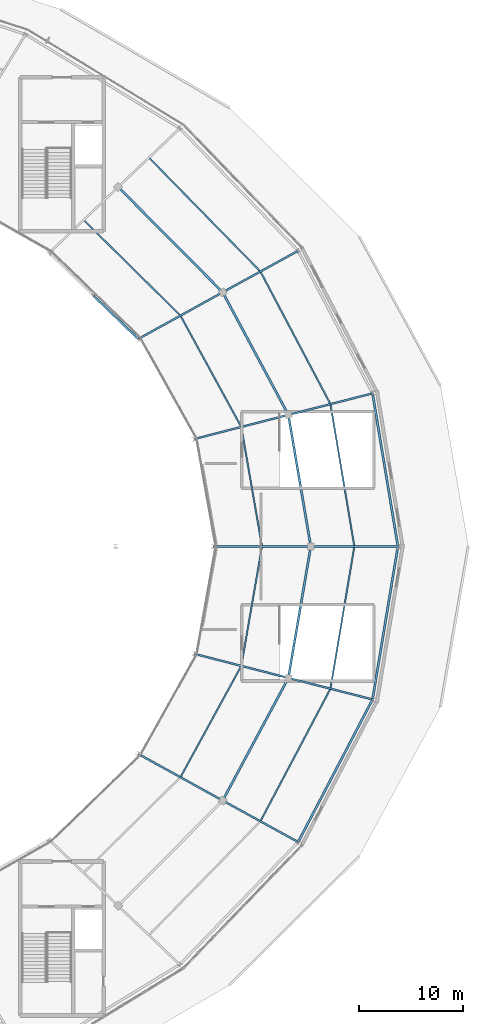
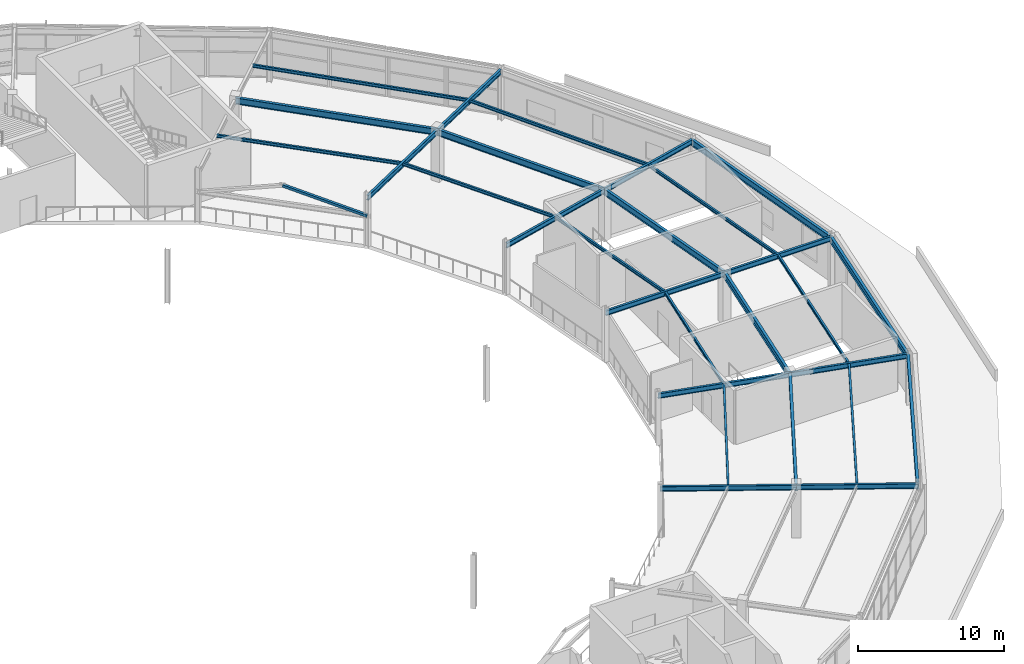
# One storey, part 85 of 126: 28 beams, 1 member.
"""IFC4 building model written with IfcOpenShell, lengths in metres."""

from ifc_helpers import new_model, si_unit, direction, frame, origin, origin_2d, place, context, subcontext, project, spatial, hollow_rectangle, i_section, extrude, material, material_profile, profile_set, type_object, element, save


model = new_model("IFC4")

# Units and contexts
model_context = context("Model", 3, precision=1e-05, world=origin(), true_north=direction((0.0, 1.0)))
body_context = subcontext(model_context, "Body", "Model", "MODEL_VIEW")
ifc_project = project(units=[si_unit("LENGTHUNIT", "METRE"), si_unit("AREAUNIT", "SQUARE_METRE"), si_unit("VOLUMEUNIT", "CUBIC_METRE"), si_unit("PLANEANGLEUNIT", "RADIAN"), si_unit("MASSUNIT", "GRAM", prefix="KILO")], contexts=[model_context])

# Site, building, storey
site_placement = place(None, origin())
site = spatial("IfcSite", under=ifc_project, at=site_placement, CompositionType="ELEMENT")
building_placement = place(site_placement, origin())
building = spatial("IfcBuilding", under=site, at=building_placement, Name="Kalgoora Escarpment Arena", CompositionType="ELEMENT")
storey_placement = place(building_placement, frame((0.0, 0.0, 18.89990234375)))
storey = spatial("IfcBuildingStorey", under=building, at=storey_placement, Name="L04", CompositionType="ELEMENT", Elevation=18.89990234375)

# Beams
ifc_material_1 = material(Name="Structural steel AS/NZS 3679 (300 MPa)", Category="steel")
ifc_material_profile_1 = material_profile(ifc_material_1, i_section(OverallWidth=0.14599609375, OverallDepth=0.256103515625, WebThickness=0.00634765625, FlangeThickness=0.010986328125, at=origin_2d()))
ifc_profile_set_1 = profile_set([ifc_material_profile_1], Name="Structural steel AS/NZS 3679 (300 MPa)")
beam_type_1 = type_object("IfcBeamType", Name="BM-BEAM-250UB37.3", PredefinedType="BEAM", material=ifc_profile_set_1)
beam_1_placement = place(storey_placement, frame((151.10009765625, 64.0, 4.08203125), z_axis=(-0.171111128077, 0.985251735268, 0.0), x_axis=(-0.985251735268, -0.171111128077, 0.0)))
element("IfcBeam", 1, at=beam_1_placement, inside=storey, type_object=beam_type_1, Name="L04 Concourse secondary ring beam 250UB37.3", PredefinedType="BEAM", context=body_context, shape_type="SweptSolid", body=[
    extrude(i_section(OverallWidth=0.14599609375, OverallDepth=0.256103515625, WebThickness=0.00634765625, FlangeThickness=0.010986328125, at=origin_2d()), origin(), (0.0, 0.0, 1.0), 11.689697265625),
])
beam_2_placement = place(storey_placement, frame((160.0, 64.0, 4.08203125), z_axis=(-0.165605701668, 0.986192045991, 0.0), x_axis=(-0.986192045991, -0.165605701668, 0.0)))
element("IfcBeam", 2, at=beam_2_placement, inside=storey, type_object=beam_type_1, Name="L04 Concourse secondary ring beam 250UB37.3", PredefinedType="BEAM", context=body_context, shape_type="SweptSolid", body=[
    extrude(i_section(OverallWidth=0.14599609375, OverallDepth=0.256103515625, WebThickness=0.00634765625, FlangeThickness=0.010986328125, at=origin_2d()), origin(), (0.0, 0.0, 1.0), 13.909423828125),
])
beam_3_placement = place(storey_placement, frame((149.099853515625, 75.517333984375, 4.08203125), z_axis=(-0.47948697468, 0.877548996417, 0.0), x_axis=(-0.877548996417, -0.47948697468, 0.0)))
element("IfcBeam", 3, at=beam_3_placement, inside=storey, type_object=beam_type_1, Name="L04 Concourse secondary ring beam 250UB37.3", PredefinedType="BEAM", context=body_context, shape_type="SweptSolid", body=[
    extrude(i_section(OverallWidth=0.14599609375, OverallDepth=0.256103515625, WebThickness=0.00634765625, FlangeThickness=0.010986328125, at=origin_2d()), origin(), (0.0, 0.0, 1.0), 12.230224609375),
])
beam_4_placement = place(storey_placement, frame((157.696533203125, 77.71728515625, 4.08203125), z_axis=(-0.467123275038, 0.884192199648, 0.0), x_axis=(-0.884192199648, -0.467123275038, 0.0)))
element("IfcBeam", 4, at=beam_4_placement, inside=storey, type_object=beam_type_1, Name="L04 Concourse secondary ring beam 250UB37.3", PredefinedType="BEAM", context=body_context, shape_type="SweptSolid", body=[
    extrude(i_section(OverallWidth=0.14599609375, OverallDepth=0.256103515625, WebThickness=0.00634765625, FlangeThickness=0.010986328125, at=origin_2d()), origin(), (0.0, 0.0, 1.0), 14.45703125),
])
beam_5_placement = place(storey_placement, frame((143.235595703125, 86.25, 4.08203125), z_axis=(-0.711366651552, 0.702821091787, 0.0), x_axis=(-0.702821091787, -0.711366651552, 0.0)))
element("IfcBeam", 5, at=beam_5_placement, inside=storey, type_object=beam_type_1, Name="L04 Concourse secondary ring beam 250UB37.3", PredefinedType="BEAM", context=body_context, shape_type="SweptSolid", body=[
    extrude(i_section(OverallWidth=0.14599609375, OverallDepth=0.256103515625, WebThickness=0.00634765625, FlangeThickness=0.010986328125, at=origin_2d()), origin(), (0.0, 0.0, 1.0), 13.11328125),
])
beam_6_placement = place(storey_placement, frame((150.943359375, 90.5, 4.08203125), z_axis=(-0.699451819528, 0.714679754967, 0.0), x_axis=(-0.714679754967, -0.699451819528, 0.0)))
element("IfcBeam", 6, at=beam_6_placement, inside=storey, type_object=beam_type_1, Name="L04 Concourse secondary ring beam 250UB37.3", PredefinedType="BEAM", context=body_context, shape_type="SweptSolid", body=[
    extrude(i_section(OverallWidth=0.14599609375, OverallDepth=0.256103515625, WebThickness=0.00634765625, FlangeThickness=0.010986328125, at=origin_2d()), origin(), (0.0, 0.0, 1.0), 15.359130859375),
])
beam_7_placement = place(storey_placement, frame((143.235595703125, 41.75, 4.10205078125), z_axis=(0.47948697468, 0.877548996417, 0.0), x_axis=(-0.877548996417, 0.47948697468, 0.0)))
element("IfcBeam", 7, at=beam_7_placement, inside=storey, type_object=beam_type_1, Name="L04 Concourse secondary ring beam 250UB37.3", PredefinedType="BEAM", context=body_context, shape_type="SweptSolid", body=[
    extrude(i_section(OverallWidth=0.14599609375, OverallDepth=0.256103515625, WebThickness=0.00634765625, FlangeThickness=0.010986328125, at=origin_2d()), origin(), (0.0, 0.0, 1.0), 12.230224609375),
])
beam_8_placement = place(storey_placement, frame((150.943359375, 37.5, 4.10205078125), z_axis=(0.467123275038, 0.884192199648, 0.0), x_axis=(-0.884192199648, 0.467123275038, 0.0)))
element("IfcBeam", 8, at=beam_8_placement, inside=storey, type_object=beam_type_1, Name="L04 Concourse secondary ring beam 250UB37.3", PredefinedType="BEAM", context=body_context, shape_type="SweptSolid", body=[
    extrude(i_section(OverallWidth=0.14599609375, OverallDepth=0.256103515625, WebThickness=0.00634765625, FlangeThickness=0.010986328125, at=origin_2d()), origin(), (0.0, 0.0, 1.0), 14.45703125),
])
beam_9_placement = place(storey_placement, frame((149.099853515625, 52.482666015625, 4.08203125), z_axis=(0.171111128077, 0.985251735268, 0.0), x_axis=(-0.985251735268, 0.171111128077, 0.0)))
element("IfcBeam", 9, at=beam_9_placement, inside=storey, type_object=beam_type_1, Name="L04 Concourse secondary ring beam 250UB37.3", PredefinedType="BEAM", context=body_context, shape_type="SweptSolid", body=[
    extrude(i_section(OverallWidth=0.14599609375, OverallDepth=0.256103515625, WebThickness=0.00634765625, FlangeThickness=0.010986328125, at=origin_2d()), origin(), (0.0, 0.0, 1.0), 11.689697265625),
])
beam_10_placement = place(storey_placement, frame((157.696533203125, 50.28271484375, 4.08203125), z_axis=(0.165605701668, 0.986192045991, 0.0), x_axis=(-0.986192045991, 0.165605701668, 0.0)))
element("IfcBeam", 10, at=beam_10_placement, inside=storey, type_object=beam_type_1, Name="L04 Concourse secondary ring beam 250UB37.3", PredefinedType="BEAM", context=body_context, shape_type="SweptSolid", body=[
    extrude(i_section(OverallWidth=0.14599609375, OverallDepth=0.256103515625, WebThickness=0.00634765625, FlangeThickness=0.010986328125, at=origin_2d()), origin(), (0.0, 0.0, 1.0), 13.909423828125),
])
ifc_material_2 = material(Name="Structural steel AS/NZS 3679 (300 MPa)", Category="steel")
ifc_material_profile_2 = material_profile(ifc_material_2, i_section(OverallWidth=0.177978515625, OverallDepth=0.406005859375, WebThickness=0.0078125, FlangeThickness=0.0126953125, at=origin_2d()))
ifc_profile_set_2 = profile_set([ifc_material_profile_2], Name="Structural steel AS/NZS 3679 (300 MPa)")
beam_type_2 = type_object("IfcBeamType", Name="BM-GIRDER-410UB59.7", PredefinedType="USERDEFINED", material=ifc_profile_set_2)
beam_11_placement = place(storey_placement, frame((146.39990234375, 64.0, 4.007080078125), z_axis=(1.0, 0.0, 0.0), x_axis=(0.0, 1.0, 0.0)))
element("IfcBeam", 11, at=beam_11_placement, inside=storey, type_object=beam_type_2, Name="L04 Radial concourse girder 410UB59.7", ObjectType="GIRDER", PredefinedType="USERDEFINED", context=body_context, shape_type="SweptSolid", body=[
    extrude(i_section(OverallWidth=0.177978515625, OverallDepth=0.406005859375, WebThickness=0.0078125, FlangeThickness=0.0126953125, at=origin_2d()), origin(), (0.0, 0.0, 1.0), 9.400146484375),
])
beam_12_placement = place(storey_placement, frame((155.800048828125, 64.0, 4.007080078125), z_axis=(1.0, 0.0, 0.0), x_axis=(0.0, 1.0, 0.0)))
element("IfcBeam", 12, at=beam_12_placement, inside=storey, type_object=beam_type_2, Name="L04 Radial concourse girder 410UB59.7", ObjectType="GIRDER", PredefinedType="USERDEFINED", context=body_context, shape_type="SweptSolid", body=[
    extrude(i_section(OverallWidth=0.177978515625, OverallDepth=0.406005859375, WebThickness=0.0078125, FlangeThickness=0.0126953125, at=origin_2d()), origin(), (0.0, 0.0, 1.0), 8.39990234375),
])
beam_13_placement = place(storey_placement, frame((144.56005859375, 74.352783203125, 4.007080078125), z_axis=(0.9686318836, 0.248500048438, 0.0), x_axis=(-0.248500048438, 0.9686318836, 0.0)))
element("IfcBeam", 13, at=beam_13_placement, inside=storey, type_object=beam_type_2, Name="L04 Radial concourse girder 410UB59.7", ObjectType="GIRDER", PredefinedType="USERDEFINED", context=body_context, shape_type="SweptSolid", body=[
    extrude(i_section(OverallWidth=0.177978515625, OverallDepth=0.406005859375, WebThickness=0.0078125, FlangeThickness=0.0126953125, at=origin_2d()), origin(), (0.0, 0.0, 1.0), 9.37353515625),
])
beam_14_placement = place(storey_placement, frame((153.6396484375, 76.68212890625, 4.007080078125), z_axis=(0.968947589915, 0.247266188544, 0.0), x_axis=(-0.247266188544, 0.968947589915, 0.0)))
element("IfcBeam", 14, at=beam_14_placement, inside=storey, type_object=beam_type_2, Name="L04 Radial concourse girder 410UB59.7", ObjectType="GIRDER", PredefinedType="USERDEFINED", context=body_context, shape_type="SweptSolid", body=[
    extrude(i_section(OverallWidth=0.177978515625, OverallDepth=0.406005859375, WebThickness=0.0078125, FlangeThickness=0.0126953125, at=origin_2d()), origin(), (0.0, 0.0, 1.0), 8.373779296875),
])
beam_15_placement = place(storey_placement, frame((139.165283203125, 84.0, 4.007080078125), z_axis=(0.875185387072, 0.483787699571, 0.0), x_axis=(-0.483787699571, 0.875185387072, 0.0)))
element("IfcBeam", 15, at=beam_15_placement, inside=storey, type_object=beam_type_2, Name="L04 Radial concourse girder 410UB59.7", ObjectType="GIRDER", PredefinedType="USERDEFINED", context=body_context, shape_type="SweptSolid", body=[
    extrude(i_section(OverallWidth=0.177978515625, OverallDepth=0.406005859375, WebThickness=0.0078125, FlangeThickness=0.0126953125, at=origin_2d()), origin(), (0.0, 0.0, 1.0), 9.301513671875),
])
beam_16_placement = place(storey_placement, frame((147.305908203125, 88.5, 4.007080078125), z_axis=(0.876269921306, 0.481820531956, 0.0), x_axis=(-0.481820531956, 0.876269921306, 0.0)))
element("IfcBeam", 16, at=beam_16_placement, inside=storey, type_object=beam_type_2, Name="L04 Radial concourse girder 410UB59.7", ObjectType="GIRDER", PredefinedType="USERDEFINED", context=body_context, shape_type="SweptSolid", body=[
    extrude(i_section(OverallWidth=0.177978515625, OverallDepth=0.406005859375, WebThickness=0.0078125, FlangeThickness=0.0126953125, at=origin_2d()), origin(), (0.0, 0.0, 1.0), 8.3017578125),
])
beam_17_placement = place(storey_placement, frame((139.165283203125, 44.0, 4.027099609375), z_axis=(0.875185387072, -0.483787699571, 0.0), x_axis=(0.483787699571, 0.875185387072, 0.0)))
element("IfcBeam", 17, at=beam_17_placement, inside=storey, type_object=beam_type_2, Name="L04 Radial concourse girder 410UB59.7", ObjectType="GIRDER", PredefinedType="USERDEFINED", context=body_context, shape_type="SweptSolid", body=[
    extrude(i_section(OverallWidth=0.177978515625, OverallDepth=0.406005859375, WebThickness=0.0078125, FlangeThickness=0.0126953125, at=origin_2d()), origin(), (0.0, 0.0, 1.0), 9.301513671875),
])
beam_18_placement = place(storey_placement, frame((147.305908203125, 39.5, 4.027099609375), z_axis=(0.876269921306, -0.481820531956, 0.0), x_axis=(0.481820531956, 0.876269921306, 0.0)))
element("IfcBeam", 18, at=beam_18_placement, inside=storey, type_object=beam_type_2, Name="L04 Radial concourse girder 410UB59.7", ObjectType="GIRDER", PredefinedType="USERDEFINED", context=body_context, shape_type="SweptSolid", body=[
    extrude(i_section(OverallWidth=0.177978515625, OverallDepth=0.406005859375, WebThickness=0.0078125, FlangeThickness=0.0126953125, at=origin_2d()), origin(), (0.0, 0.0, 1.0), 8.3017578125),
])
beam_19_placement = place(storey_placement, frame((144.56005859375, 53.647216796875, 4.027099609375), z_axis=(0.9686318836, -0.248500048438, 0.0), x_axis=(0.248500048438, 0.9686318836, 0.0)))
element("IfcBeam", 19, at=beam_19_placement, inside=storey, type_object=beam_type_2, Name="L04 Radial concourse girder 410UB59.7", ObjectType="GIRDER", PredefinedType="USERDEFINED", context=body_context, shape_type="SweptSolid", body=[
    extrude(i_section(OverallWidth=0.177978515625, OverallDepth=0.406005859375, WebThickness=0.0078125, FlangeThickness=0.0126953125, at=origin_2d()), origin(), (0.0, 0.0, 1.0), 9.37353515625),
])
beam_20_placement = place(storey_placement, frame((153.6396484375, 51.31787109375, 4.027099609375), z_axis=(0.968947589915, -0.247266188544, 0.0), x_axis=(0.247266188544, 0.968947589915, 0.0)))
element("IfcBeam", 20, at=beam_20_placement, inside=storey, type_object=beam_type_2, Name="L04 Radial concourse girder 410UB59.7", ObjectType="GIRDER", PredefinedType="USERDEFINED", context=body_context, shape_type="SweptSolid", body=[
    extrude(i_section(OverallWidth=0.177978515625, OverallDepth=0.406005859375, WebThickness=0.0078125, FlangeThickness=0.0126953125, at=origin_2d()), origin(), (0.0, 0.0, 1.0), 8.373779296875),
])
ifc_material_3 = material(Name="Structural steel AS/NZS 3679 (300 MPa)", Category="steel")
ifc_material_profile_3 = material_profile(ifc_material_3, i_section(OverallWidth=0.208984375, OverallDepth=0.532958984375, WebThickness=0.01025390625, FlangeThickness=0.015625, at=origin_2d()))
ifc_profile_set_3 = profile_set([ifc_material_profile_3], Name="Structural steel AS/NZS 3679 (300 MPa)")
beam_type_3 = type_object("IfcBeamType", Name="BM-GIRDER-530UB92.4", PredefinedType="USERDEFINED", material=ifc_profile_set_3)
beam_21_placement = place(storey_placement, frame((155.800048828125, 64.0, 3.943603515625), z_axis=(-0.167930802249, 0.985798785583, 0.0), x_axis=(-0.985798785583, -0.167930802249, 0.0)))
element("IfcBeam", 21, at=beam_21_placement, inside=storey, type_object=beam_type_3, Name="L04 Circumferential concourse girder RCONC1 530UB92.4", ObjectType="GIRDER", PredefinedType="USERDEFINED", context=body_context, shape_type="SweptSolid", body=[
    extrude(i_section(OverallWidth=0.208984375, OverallDepth=0.532958984375, WebThickness=0.01025390625, FlangeThickness=0.015625, at=origin_2d()), origin(), (0.0, 0.0, 1.0), 12.86474609375),
])
beam_22_placement = place(storey_placement, frame((153.6396484375, 76.68212890625, 3.943603515625), z_axis=(-0.472380065023, 0.881394959237, 0.0), x_axis=(-0.881394959237, -0.472380065023, 0.0)))
element("IfcBeam", 22, at=beam_22_placement, inside=storey, type_object=beam_type_3, Name="L04 Circumferential concourse girder RCONC1 530UB92.4", ObjectType="GIRDER", PredefinedType="USERDEFINED", context=body_context, shape_type="SweptSolid", body=[
    extrude(i_section(OverallWidth=0.208984375, OverallDepth=0.532958984375, WebThickness=0.01025390625, FlangeThickness=0.015625, at=origin_2d()), origin(), (0.0, 0.0, 1.0), 13.408203125),
])
beam_23_placement = place(storey_placement, frame((147.305908203125, 88.5, 3.943603515625), z_axis=(-0.704549829117, 0.709654520377, 0.0), x_axis=(-0.709654520377, -0.704549829117, 0.0)))
element("IfcBeam", 23, at=beam_23_placement, inside=storey, type_object=beam_type_3, Name="L04 Circumferential concourse girder RCONC1 530UB92.4", ObjectType="GIRDER", PredefinedType="USERDEFINED", context=body_context, shape_type="SweptSolid", body=[
    extrude(i_section(OverallWidth=0.208984375, OverallDepth=0.532958984375, WebThickness=0.01025390625, FlangeThickness=0.015625, at=origin_2d()), origin(), (0.0, 0.0, 1.0), 14.30029296875),
])
beam_24_placement = place(storey_placement, frame((147.305908203125, 39.5, 3.963623046875), z_axis=(0.472380065023, 0.881394959237, 0.0), x_axis=(-0.881394959237, 0.472380065023, 0.0)))
element("IfcBeam", 24, at=beam_24_placement, inside=storey, type_object=beam_type_3, Name="L04 Circumferential concourse girder RCONC1 530UB92.4", ObjectType="GIRDER", PredefinedType="USERDEFINED", context=body_context, shape_type="SweptSolid", body=[
    extrude(i_section(OverallWidth=0.208984375, OverallDepth=0.532958984375, WebThickness=0.01025390625, FlangeThickness=0.015625, at=origin_2d()), origin(), (0.0, 0.0, 1.0), 13.408203125),
])
beam_25_placement = place(storey_placement, frame((153.6396484375, 51.31787109375, 3.943603515625), z_axis=(0.167930802249, 0.985798785583, 0.0), x_axis=(-0.985798785583, 0.167930802249, 0.0)))
element("IfcBeam", 25, at=beam_25_placement, inside=storey, type_object=beam_type_3, Name="L04 Circumferential concourse girder RCONC1 530UB92.4", ObjectType="GIRDER", PredefinedType="USERDEFINED", context=body_context, shape_type="SweptSolid", body=[
    extrude(i_section(OverallWidth=0.208984375, OverallDepth=0.532958984375, WebThickness=0.01025390625, FlangeThickness=0.015625, at=origin_2d()), origin(), (0.0, 0.0, 1.0), 12.86474609375),
])
ifc_material_4 = material(Name="Structural steel AS/NZS 3679 (300 MPa)", Category="steel")
ifc_material_profile_4 = material_profile(ifc_material_4, i_section(OverallWidth=0.208984375, OverallDepth=0.532958984375, WebThickness=0.01025390625, FlangeThickness=0.015625, at=origin_2d()))
ifc_profile_set_4 = profile_set([ifc_material_profile_4], Name="Structural steel AS/NZS 3679 (300 MPa)")
beam_type_4 = type_object("IfcBeamType", Name="BM-SPANDREL-530UB92.4", PredefinedType="SPANDREL", material=ifc_profile_set_4)
beam_26_placement = place(storey_placement, frame((164.199951171875, 64.0, 3.943603515625), z_axis=(-0.163602052226, 0.986526415514, 0.0), x_axis=(-0.986526415514, -0.163602052226, 0.0)))
element("IfcBeam", 26, at=beam_26_placement, inside=storey, type_object=beam_type_4, Name="L04 Circumferential concourse girder RCONC2 530UB92.4", PredefinedType="SPANDREL", context=body_context, shape_type="SweptSolid", body=[
    extrude(i_section(OverallWidth=0.208984375, OverallDepth=0.532958984375, WebThickness=0.01025390625, FlangeThickness=0.015625, at=origin_2d()), origin(), (0.0, 0.0, 1.0), 14.9541015625),
])
beam_27_placement = place(storey_placement, frame((154.58056640625, 35.5, 3.963623046875), z_axis=(0.462583225327, 0.886575862319, 0.0), x_axis=(-0.886575862319, 0.462583225327, 0.0)))
element("IfcBeam", 27, at=beam_27_placement, inside=storey, type_object=beam_type_4, Name="L04 Circumferential concourse girder RCONC2 530UB92.4", PredefinedType="SPANDREL", context=body_context, shape_type="SweptSolid", body=[
    extrude(i_section(OverallWidth=0.208984375, OverallDepth=0.532958984375, WebThickness=0.01025390625, FlangeThickness=0.015625, at=origin_2d()), origin(), (0.0, 0.0, 1.0), 15.506103515625),
])
beam_28_placement = place(storey_placement, frame((161.75341796875, 49.247314453125, 3.943603515625), z_axis=(0.163602052226, 0.986526415514, 0.0), x_axis=(-0.986526415514, 0.163602052226, 0.0)))
element("IfcBeam", 28, at=beam_28_placement, inside=storey, type_object=beam_type_4, Name="L04 Circumferential concourse girder RCONC2 530UB92.4", PredefinedType="SPANDREL", context=body_context, shape_type="SweptSolid", body=[
    extrude(i_section(OverallWidth=0.208984375, OverallDepth=0.532958984375, WebThickness=0.01025390625, FlangeThickness=0.015625, at=origin_2d()), origin(), (0.0, 0.0, 1.0), 14.9541015625),
])

# Member
ifc_material_5 = material(Name="Structural steel C350 (350 MPa)", Category="steel")
ifc_material_profile_5 = material_profile(ifc_material_5, hollow_rectangle(XDim=0.199951171875, YDim=0.199951171875, WallThickness=0.009033203125, at=origin_2d()))
ifc_profile_set_5 = profile_set([ifc_material_profile_5], Name="Structural steel C350 (350 MPa)")
member_type = type_object("IfcMemberType", Name="MEM-BRACE-SHS200", PredefinedType="BRACE", material=ifc_profile_set_5)
member_placement = place(storey_placement, frame((139.165283203125, 84.0, 2.52001953125), z_axis=(-0.696893494727, 0.672745094255, 0.248502505346), x_axis=(-0.694531682696, -0.719462119733, 0.0)))
element("IfcMember", 29, at=member_placement, inside=storey, type_object=member_type, Name="L04 concentric lateral brace R03-1", PredefinedType="BRACE", context=body_context, shape_type="SweptSolid", body=[
    extrude(hollow_rectangle(XDim=0.199951171875, YDim=0.199951171875, WallThickness=0.009033203125, at=origin_2d()), origin(), (0.0, 0.0, 1.0), 6.156982421875),
])

save(model, "model.ifc")
